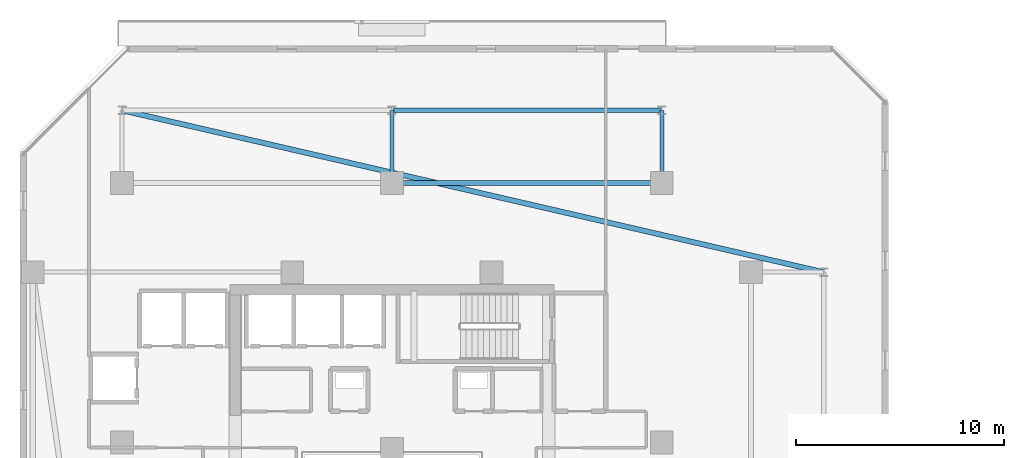
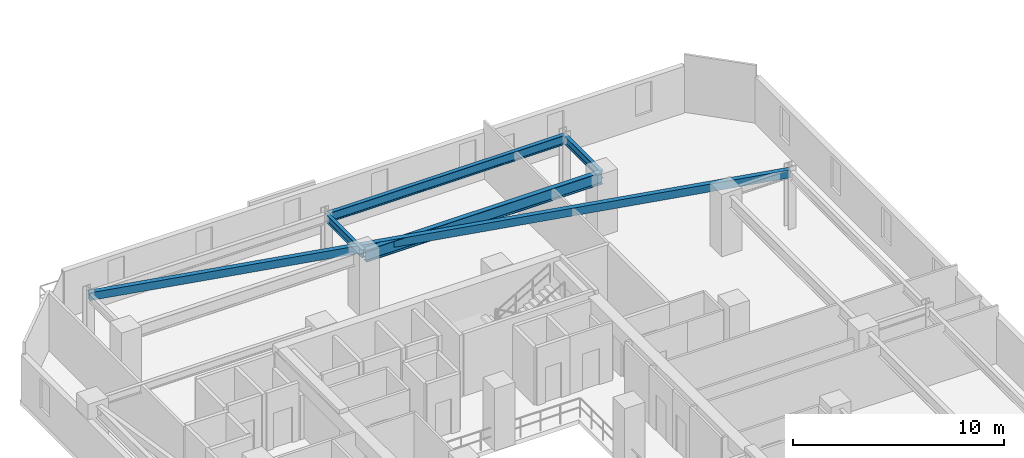
# One storey, part 9 of 33: 5 beams.
"""IFC4 building model written with IfcOpenShell, lengths in metres."""

from ifc_helpers import new_model, si_unit, direction, frame, origin, origin_2d, place, context, subcontext, project, spatial, hollow_rectangle, i_section, extrude, material, material_profile, profile_set, type_object, element, save


model = new_model("IFC4")

# Units and contexts
model_context = context("Model", 3, precision=1e-05, world=origin(), true_north=direction((0.0, 1.0)))
body_context = subcontext(model_context, "Body", "Model", "MODEL_VIEW")
ifc_project = project(units=[si_unit("LENGTHUNIT", "METRE"), si_unit("AREAUNIT", "SQUARE_METRE"), si_unit("VOLUMEUNIT", "CUBIC_METRE"), si_unit("PLANEANGLEUNIT", "RADIAN"), si_unit("MASSUNIT", "GRAM", prefix="KILO")], contexts=[model_context])

# Site, building, storey
site_placement = place(None, origin())
site = spatial("IfcSite", under=ifc_project, at=site_placement, CompositionType="ELEMENT")
building_placement = place(site_placement, origin())
building = spatial("IfcBuilding", under=site, at=building_placement, Name="Thornwick Lancets Civic Towers", CompositionType="ELEMENT")
storey_placement = place(building_placement, frame((0.0, 0.0, 189.300048828125)))
storey = spatial("IfcBuildingStorey", under=building, at=storey_placement, Name="L50", CompositionType="ELEMENT", Elevation=189.300048828125)

# Beams
ifc_material = material(Name="Steel S355JR", Category="steel")
ifc_material_profile_1 = material_profile(ifc_material, i_section(OverallWidth=0.210693359375, OverallDepth=0.53955078125, WebThickness=0.01171875, FlangeThickness=0.018798828125, FilletRadius=0.0126953125, at=origin_2d()), Name="UKB 533x210x109")
ifc_profile_set_1 = profile_set([ifc_material_profile_1], Name="Steel S355JR")
beam_type_1 = type_object("IfcBeamType", Name="BM_EDGE_533_109", PredefinedType="SPANDREL", material=ifc_profile_set_1)
beam_1_placement = place(storey_placement, frame((25.580078125, 47.800048828125, 3.09033203125), z_axis=(1.0, 0.0, 0.0), x_axis=(0.0, 1.0, 0.0)))
element("IfcBeam", 1, at=beam_1_placement, inside=storey, type_object=beam_type_1, Name="BM-EDGE-L50-A-S2-2", PredefinedType="SPANDREL", context=body_context, shape_type="SweptSolid", body=[
    extrude(i_section(OverallWidth=0.210693359375, OverallDepth=0.53955078125, WebThickness=0.01171875, FlangeThickness=0.018798828125, FilletRadius=0.0126953125, at=origin_2d()), origin(), (0.0, 0.0, 1.0), 12.919921875),
])
ifc_material_profile_2 = material_profile(ifc_material, i_section(OverallWidth=0.255859375, OverallDepth=0.69287109375, WebThickness=0.014404296875, FlangeThickness=0.023681640625, FilletRadius=0.01513671875, at=origin_2d()), Name="UKB 686x254x170")
ifc_profile_set_2 = profile_set([ifc_material_profile_2], Name="Steel S355JR")
beam_type_2 = type_object("IfcBeamType", Name="BM_GIRD_686_170", PredefinedType="BEAM", material=ifc_profile_set_2)
beam_2_placement = place(storey_placement, frame((25.580078125, 44.300048828125, 3.013427734375), z_axis=(1.0, 0.0, 0.0), x_axis=(0.0, 1.0, 0.0)))
element("IfcBeam", 2, at=beam_2_placement, inside=storey, type_object=beam_type_2, Name="BM-SPINE-L50-A-7-8", PredefinedType="BEAM", context=body_context, shape_type="SweptSolid", body=[
    extrude(i_section(OverallWidth=0.255859375, OverallDepth=0.69287109375, WebThickness=0.014404296875, FlangeThickness=0.023681640625, FilletRadius=0.01513671875, at=origin_2d()), origin(), (0.0, 0.0, 1.0), 12.919921875),
])
ifc_material_profile_3 = material_profile(ifc_material, i_section(OverallWidth=0.19287109375, OverallDepth=0.46728515625, WebThickness=0.011474609375, FlangeThickness=0.01953125, FilletRadius=0.01025390625, at=origin_2d()), Name="UKB 457x191x98")
ifc_profile_set_3 = profile_set([ifc_material_profile_3], Name="Steel S355JR")
beam_type_3 = type_object("IfcBeamType", Name="BM_JOIST_457_98", PredefinedType="JOIST", material=ifc_profile_set_3)
for number, where, z_axis, x_axis, name in (
    (3, (25.5, 44.300048828125, 3.12646484375), (0.0, 1.0, 0.0), (-1.0, 0.0, 0.0), "BM-RAD-L50-A08"),
    (4, (38.5, 44.300048828125, 3.12646484375), (0.0, 1.0, 0.0), (-1.0, 0.0, 0.0), "BM-RAD-L50-A09"),
):
    element("IfcBeam", number, at=place(storey_placement, frame(where, z_axis=z_axis, x_axis=x_axis)), inside=storey, type_object=beam_type_3, Name=name, PredefinedType="JOIST", context=body_context, shape_type="SweptSolid", body=[
        extrude(i_section(OverallWidth=0.19287109375, OverallDepth=0.46728515625, WebThickness=0.011474609375, FlangeThickness=0.01953125, FilletRadius=0.01025390625, at=origin_2d()), origin(), (0.0, 0.0, 1.0), 3.5),
    ])
ifc_material_profile_4 = material_profile(ifc_material, hollow_rectangle(XDim=0.25, YDim=0.449951171875, WallThickness=0.01611328125, at=origin_2d()), Name="RHS 450x250x16")
ifc_profile_set_4 = profile_set([ifc_material_profile_4], Name="Steel S355JR")
beam_type_4 = type_object("IfcBeamType", Name="BM_RING_RHS450", PredefinedType="BEAM", material=ifc_profile_set_4)
beam_3_placement = place(storey_placement, frame((46.300048828125, 40.0, 3.135009765625), z_axis=(-0.974390958454, 0.224860534737, 0.0), x_axis=(-0.224860534737, -0.974390958454, 0.0)))
element("IfcBeam", 5, at=beam_3_placement, inside=storey, type_object=beam_type_4, Name="BM-CHAMF-L50-A-C1", PredefinedType="BEAM", context=body_context, shape_type="SweptSolid", body=[
    extrude(hollow_rectangle(XDim=0.25, YDim=0.449951171875, WallThickness=0.01611328125, at=origin_2d()), origin(), (0.0, 0.0, 1.0), 34.6884765625),
])

save(model, "model.ifc")
